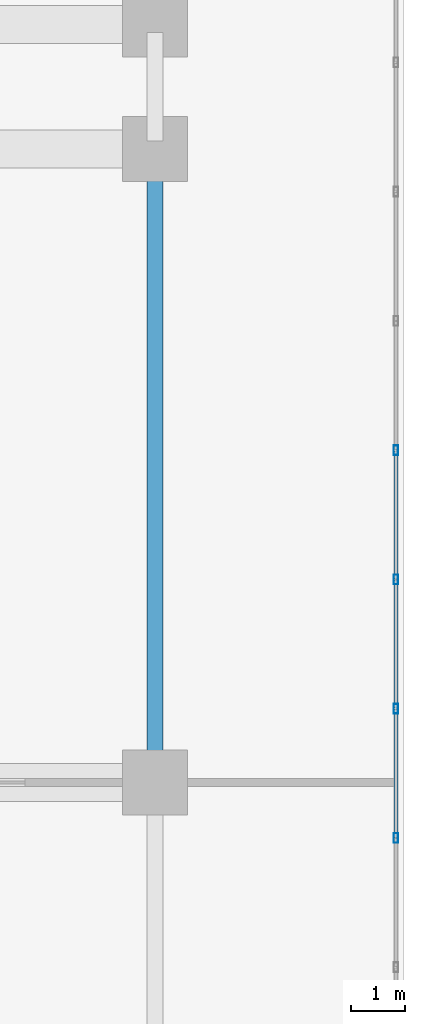
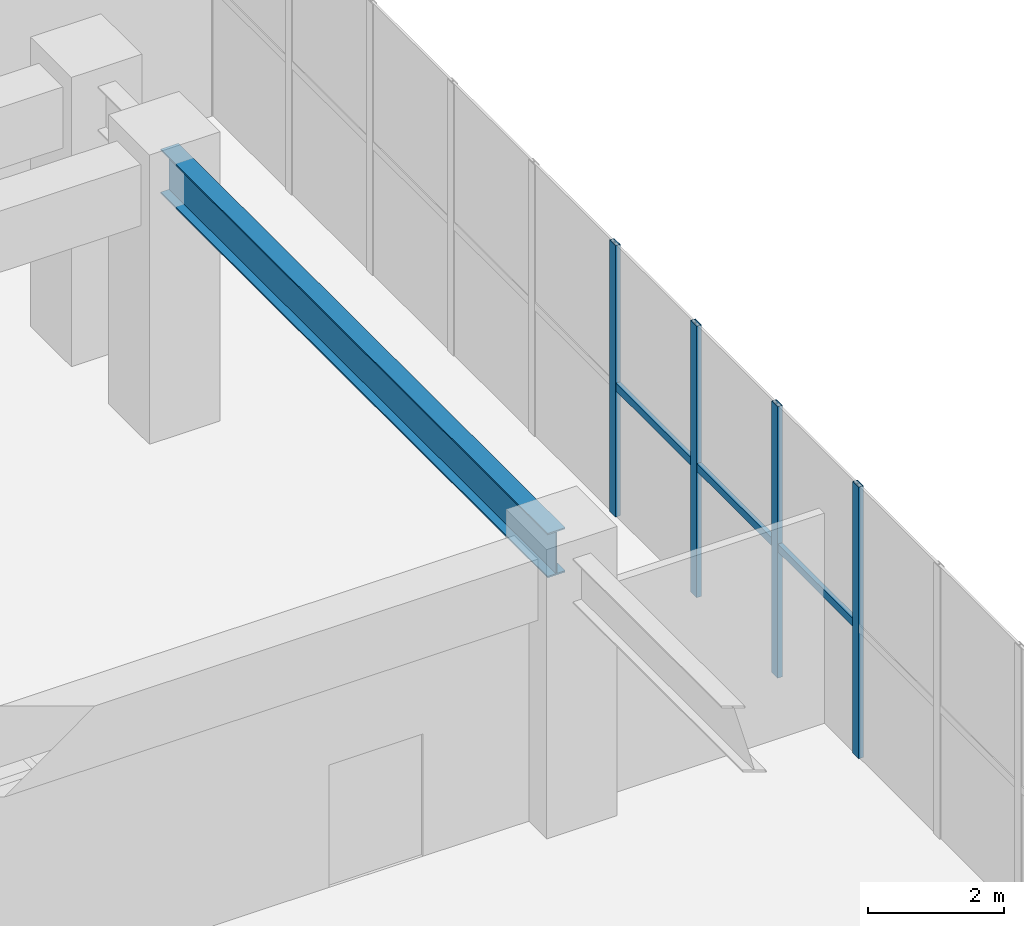
# One storey, part 26 of 40: 7 members, 1 beam, 1 element without a shape of its own.
"""IFC4 building model written with IfcOpenShell, lengths in metres."""

from ifc_helpers import new_model, si_unit, direction, frame, origin, origin_2d, place, context, subcontext, project, spatial, hollow_rectangle, i_section, extrude, source, transform, mapped, material, material_profile, profile_set, type_object, element, aggregate, save


model = new_model("IFC4")

# Units and contexts
model_context = context("Model", 3, precision=1e-05, world=origin(), true_north=direction((0.0, 1.0)))
body_context = subcontext(model_context, "Body", "Model", "MODEL_VIEW")
ifc_project = project(units=[si_unit("LENGTHUNIT", "METRE"), si_unit("AREAUNIT", "SQUARE_METRE"), si_unit("VOLUMEUNIT", "CUBIC_METRE"), si_unit("PLANEANGLEUNIT", "RADIAN"), si_unit("MASSUNIT", "GRAM", prefix="KILO")], contexts=[model_context])

# Site, building, storey
site_placement = place(None, origin())
site = spatial("IfcSite", under=ifc_project, at=site_placement, CompositionType="ELEMENT")
building_placement = place(site_placement, origin())
building = spatial("IfcBuilding", under=site, at=building_placement, Name="Trelvane Seafront Commons", CompositionType="ELEMENT")
storey_placement = place(building_placement, origin())
storey = spatial("IfcBuildingStorey", under=building, at=storey_placement, Name="L00", CompositionType="ELEMENT", Elevation=0.0)

# Beam
ifc_material_1 = material(Name="Steel SM355 (S355)", Category="steel")
ifc_material_profile_1 = material_profile(ifc_material_1, i_section(OverallWidth=0.300048828125, OverallDepth=0.800048828125, WebThickness=0.013916015625, FlangeThickness=0.02587890625, at=origin_2d()), Name="H-800x300x14x26")
ifc_profile_set_1 = profile_set([ifc_material_profile_1], Name="Steel SM355 (S355)")
beam_type = type_object("IfcBeamType", Name="STR-BM-H800", PredefinedType="BEAM", material=ifc_profile_set_1)
shared_shape_1 = source(origin(), body_context, "Body", "SweptSolid", [
    extrude(i_section(OverallWidth=0.300048828125, OverallDepth=0.800048828125, WebThickness=0.013916015625, FlangeThickness=0.02587890625, at=origin_2d()), origin(), (0.0, 0.0, 1.0), 11.39990234375),
])
beam_placement = place(storey_placement, frame((72.0, 33.550048828125, 4.47998046875), z_axis=(0.0, 1.0, 0.0), x_axis=(-1.0, 0.0, 0.0)))
element("IfcBeam", 1, at=beam_placement, inside=storey, type_object=beam_type, Name="L00 Primary Girder G-57", PredefinedType="BEAM", context=body_context, shape_type="MappedRepresentation", body=[
    mapped(shared_shape_1, transform((0.0, 0.0, 0.0), x_axis=(1.0, 0.0, 0.0), y_axis=(0.0, 1.0, 0.0), z_axis=(0.0, 0.0, 1.0), scale=1.0)),
])

# Curtain wall, members
ifc_material_2 = material(Name="Anodised pale-silver aluminium", Category="aluminium")
curtain_wall_type = type_object("IfcCurtainWallType", Name="ARCH-CW4-SKYLOBBY", PredefinedType="NOTDEFINED", material=ifc_material_2)
curtain_wall_placement = place(storey_placement, origin())
curtain_wall = element("IfcCurtainWall", 2, at=curtain_wall_placement, inside=storey, type_object=curtain_wall_type, Name="CW-L00-0005", PredefinedType="NOTDEFINED")
ifc_material_profile_2 = material_profile(ifc_material_2, hollow_rectangle(XDim=0.080078125, YDim=0.179931640625, WallThickness=0.00439453125, at=origin_2d()), Name="MULL-80x180x4.5")
ifc_profile_set_2 = profile_set([ifc_material_profile_2], Name="Anodised pale-silver aluminium")
member_type_1 = type_object("IfcMemberType", Name="ARCH-CW-MULL-180", PredefinedType="MULLION", material=ifc_profile_set_2)
shared_shape_2 = source(origin(), body_context, "Body", "SweptSolid", [
    extrude(hollow_rectangle(XDim=0.080078125, YDim=0.179931640625, WallThickness=0.00439453125, at=origin_2d()), origin(), (0.0, 0.0, 1.0), 4.8798828125),
])
member_1_placement = place(storey_placement, frame((76.449951171875, 39.534912109375, 0.0), z_axis=(0.0, 0.0, 1.0), x_axis=(1.0, 0.0, 0.0)))
member_1 = element("IfcMember", 3, at=member_1_placement, type_object=member_type_1, Name="CW-L00-0005-M05", PredefinedType="MULLION", context=body_context, shape_type="MappedRepresentation", body=[
    mapped(shared_shape_2, transform((0.0, 0.0, 0.0), x_axis=(1.0, 0.0, 0.0), y_axis=(0.0, 1.0, 0.0), z_axis=(0.0, 0.0, 1.0), scale=1.0)),
])
member_2_placement = place(storey_placement, frame((76.449951171875, 37.14794921875, 0.0), z_axis=(0.0, 0.0, 1.0), x_axis=(1.0, 0.0, 0.0)))
member_2 = element("IfcMember", 4, at=member_2_placement, type_object=member_type_1, Name="CW-L00-0005-M06", PredefinedType="MULLION", context=body_context, shape_type="MappedRepresentation", body=[
    mapped(shared_shape_2, transform((0.0, 0.0, 0.0), x_axis=(1.0, 0.0, 0.0), y_axis=(0.0, 1.0, 0.0), z_axis=(0.0, 0.0, 1.0), scale=1.0)),
])
member_3_placement = place(storey_placement, frame((76.449951171875, 34.760986328125, 0.0), z_axis=(0.0, 0.0, 1.0), x_axis=(1.0, 0.0, 0.0)))
member_3 = element("IfcMember", 5, at=member_3_placement, type_object=member_type_1, Name="CW-L00-0005-M07", PredefinedType="MULLION", context=body_context, shape_type="MappedRepresentation", body=[
    mapped(shared_shape_2, transform((0.0, 0.0, 0.0), x_axis=(1.0, 0.0, 0.0), y_axis=(0.0, 1.0, 0.0), z_axis=(0.0, 0.0, 1.0), scale=1.0)),
])
member_4_placement = place(storey_placement, frame((76.449951171875, 32.3740234375, 0.0), z_axis=(0.0, 0.0, 1.0), x_axis=(1.0, 0.0, 0.0)))
member_4 = element("IfcMember", 6, at=member_4_placement, type_object=member_type_1, Name="CW-L00-0005-M08", PredefinedType="MULLION", context=body_context, shape_type="MappedRepresentation", body=[
    mapped(shared_shape_2, transform((0.0, 0.0, 0.0), x_axis=(1.0, 0.0, 0.0), y_axis=(0.0, 1.0, 0.0), z_axis=(0.0, 0.0, 1.0), scale=1.0)),
])
ifc_material_profile_3 = material_profile(ifc_material_2, hollow_rectangle(XDim=0.074951171875, YDim=0.139892578125, WallThickness=0.00390625, at=origin_2d()), Name="TRAN-75x140x4")
ifc_profile_set_3 = profile_set([ifc_material_profile_3], Name="Anodised pale-silver aluminium")
member_type_2 = type_object("IfcMemberType", Name="ARCH-CW-TRAN-140", PredefinedType="USERDEFINED", material=ifc_profile_set_3)
shared_shape_3 = source(origin(), body_context, "Body", "SweptSolid", [
    extrude(hollow_rectangle(XDim=0.074951171875, YDim=0.139892578125, WallThickness=0.00390625, at=origin_2d()), origin(), (0.0, 0.0, 1.0), 2.363037109375),
])
member_5_placement = place(storey_placement, frame((76.449951171875, 39.52294921875, 2.342041015625), z_axis=(0.0, -1.0, 0.0), x_axis=(1.0, 0.0, 0.0)))
member_5 = element("IfcMember", 7, at=member_5_placement, type_object=member_type_2, Name="CW-L00-0005-T05", ObjectType="TRANSOM", PredefinedType="USERDEFINED", context=body_context, shape_type="MappedRepresentation", body=[
    mapped(shared_shape_3, transform((0.0, 0.0, 0.0), x_axis=(1.0, 0.0, 0.0), y_axis=(0.0, 1.0, 0.0), z_axis=(0.0, 0.0, 1.0), scale=1.0)),
])
member_6_placement = place(storey_placement, frame((76.449951171875, 37.135986328125, 2.342041015625), z_axis=(0.0, -1.0, 0.0), x_axis=(1.0, 0.0, 0.0)))
member_6 = element("IfcMember", 8, at=member_6_placement, type_object=member_type_2, Name="CW-L00-0005-T06", ObjectType="TRANSOM", PredefinedType="USERDEFINED", context=body_context, shape_type="MappedRepresentation", body=[
    mapped(shared_shape_3, transform((0.0, 0.0, 0.0), x_axis=(1.0, 0.0, 0.0), y_axis=(0.0, 1.0, 0.0), z_axis=(0.0, 0.0, 1.0), scale=1.0)),
])
member_7_placement = place(storey_placement, frame((76.449951171875, 34.7490234375, 2.342041015625), z_axis=(0.0, -1.0, 0.0), x_axis=(1.0, 0.0, 0.0)))
member_7 = element("IfcMember", 9, at=member_7_placement, type_object=member_type_2, Name="CW-L00-0005-T07", ObjectType="TRANSOM", PredefinedType="USERDEFINED", context=body_context, shape_type="MappedRepresentation", body=[
    mapped(shared_shape_3, transform((0.0, 0.0, 0.0), x_axis=(1.0, 0.0, 0.0), y_axis=(0.0, 1.0, 0.0), z_axis=(0.0, 0.0, 1.0), scale=1.0)),
])
aggregate(curtain_wall, [member_1, member_2, member_3, member_4, member_5, member_6, member_7])

save(model, "model.ifc")
